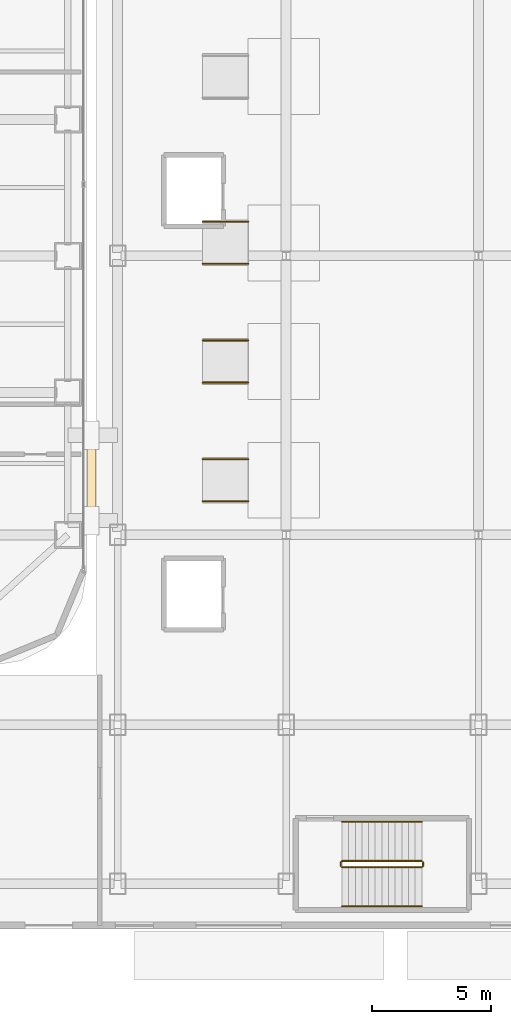
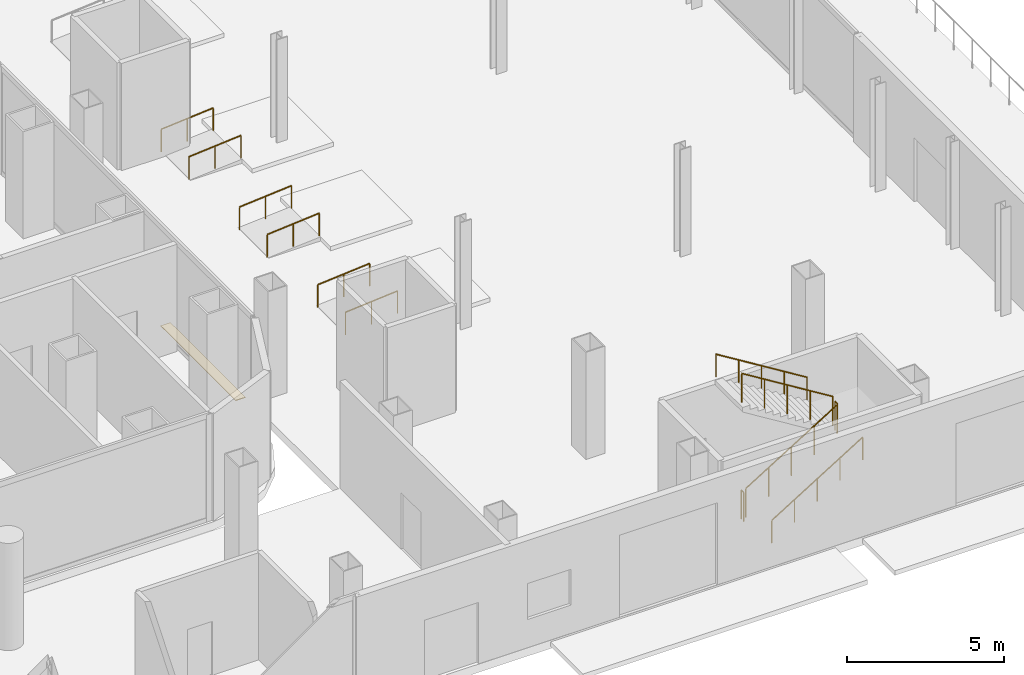
# One storey, part 26 of 31: 12 railings, 1 covering.
"""IFC4 building model written with IfcOpenShell, lengths in metres."""

from ifc_helpers import new_model, si_unit, direction, frame, origin, origin_2d, place, context, subcontext, project, spatial, polyline, circle, outline, extrude, material, layer, layer_set, type_object, element, save


model = new_model("IFC4")

# Units and contexts
model_context = context("Model", 3, precision=1e-05, world=origin(), true_north=direction((0.0, 1.0)))
body_context = subcontext(model_context, "Body", "Model", "MODEL_VIEW")
ifc_project = project(units=[si_unit("LENGTHUNIT", "METRE"), si_unit("AREAUNIT", "SQUARE_METRE"), si_unit("VOLUMEUNIT", "CUBIC_METRE"), si_unit("PLANEANGLEUNIT", "RADIAN"), si_unit("MASSUNIT", "GRAM", prefix="KILO")], contexts=[model_context])

# Site, building, storey
site_placement = place(None, origin())
site = spatial("IfcSite", under=ifc_project, at=site_placement, CompositionType="ELEMENT")
building_placement = place(site_placement, origin())
building = spatial("IfcBuilding", under=site, at=building_placement, Name="Kolveth Station Tower", CompositionType="ELEMENT")
storey_placement = place(building_placement, origin())
storey = spatial("IfcBuildingStorey", under=building, at=storey_placement, Name="L00", CompositionType="ELEMENT", Elevation=0.0)

# Covering
ifc_material_1 = material(Name="Honed terrazzo flooring")
ifc_layer = layer(ifc_material_1, 0.02001953125)
ifc_layer_set = layer_set([ifc_layer], Name="Honed terrazzo flooring")
covering_type = type_object("IfcCoveringType", Name="Floor_FL1", PredefinedType="FLOORING", material=ifc_layer_set)
covering_placement = place(storey_placement, frame((0.0, 0.0, -0.02001953125)))
element("IfcCovering", 1, at=covering_placement, inside=storey, type_object=covering_type, Name="L00 Seismic Joint Concourse Threshold Flooring 2", PredefinedType="FLOORING", context=body_context, shape_type="SweptSolid", body=[
    extrude(outline(polyline([(47.02001953125, 5.5), (47.3798828125, 5.5), (47.3798828125, 10.300048828125), (47.02001953125, 10.300048828125), (47.02001953125, 5.5)])), origin(), (0.0, 0.0, 1.0), 0.02001953125),
])

# Railings
ifc_material_2 = material(Name="Painted Steel S355 balustrade", Category="steel")
railing_type_1 = type_object("IfcRailingType", Name="Guard_GR2", PredefinedType="BALUSTRADE", material=ifc_material_2)
railing_1_placement = place(storey_placement, frame((57.75, -8.5, 0.173095703125)))
element("IfcRailing", 2, at=railing_1_placement, inside=storey, type_object=railing_type_1, Name="L00 ST4 stair guard 1", PredefinedType="BALUSTRADE", context=body_context, shape_type="SweptSolid", body=[
    extrude(circle(Radius=0.02392578125, at=origin_2d()), frame((0.0, 0.0, 1.1259765625), z_axis=(0.850623216509, 0.0, 0.525775754039), x_axis=(0.0, 1.0, 0.0)), (0.0, 0.0, 1.0), 3.9501953125),
    extrude(circle(Radius=0.02099609375, at=origin_2d()), origin(), (0.0, 0.0, 1.0), 1.101806640625),
    extrude(circle(Radius=0.02099609375, at=origin_2d()), frame((0.840087890625, 0.0, 0.519287109375)), (0.0, 0.0, 1.0), 1.101806640625),
    extrude(circle(Radius=0.02099609375, at=origin_2d()), frame((1.68017578125, 0.0, 1.03857421875)), (0.0, 0.0, 1.0), 1.101806640625),
    extrude(circle(Radius=0.02099609375, at=origin_2d()), frame((2.52001953125, 0.0, 1.5576171875)), (0.0, 0.0, 1.0), 1.101806640625),
    extrude(circle(Radius=0.02099609375, at=origin_2d()), frame((3.360107421875, 0.0, 2.076904296875)), (0.0, 0.0, 1.0), 1.101806640625),
])
railing_2_placement = place(storey_placement, frame((61.159912109375, -8.449951171875, 2.25)))
element("IfcRailing", 3, at=railing_2_placement, inside=storey, type_object=railing_type_1, Name="L00 ST4 stair guard 2", PredefinedType="BALUSTRADE", context=body_context, shape_type="SweptSolid", body=[
    extrude(circle(Radius=0.02392578125, at=origin_2d()), frame((0.0, 0.0, 1.1259765625), z_axis=(0.0, 1.0, 0.0), x_axis=(-1.0, 0.0, 0.0)), (0.0, 0.0, 1.0), 0.159912109375),
    extrude(circle(Radius=0.02099609375, at=origin_2d()), origin(), (0.0, 0.0, 1.0), 1.101806640625),
    extrude(circle(Radius=0.02099609375, at=origin_2d()), frame((0.0, 0.159912109375, 0.0)), (0.0, 0.0, 1.0), 1.101806640625),
])
railing_3_placement = place(storey_placement, frame((61.110107421875, -8.239990234375, 2.423095703125)))
element("IfcRailing", 4, at=railing_3_placement, inside=storey, type_object=railing_type_1, Name="L00 ST4 stair guard 3", PredefinedType="BALUSTRADE", context=body_context, shape_type="SweptSolid", body=[
    extrude(circle(Radius=0.02392578125, at=origin_2d()), frame((0.0, 0.0, 1.1259765625), z_axis=(-0.850623216509, 0.0, 0.525775754039), x_axis=(0.0, -1.0, 0.0)), (0.0, 0.0, 1.0), 3.9501953125),
    extrude(circle(Radius=0.02099609375, at=origin_2d()), origin(), (0.0, 0.0, 1.0), 1.101806640625),
    extrude(circle(Radius=0.02099609375, at=origin_2d()), frame((-0.840087890625, 0.0, 0.519287109375)), (0.0, 0.0, 1.0), 1.101806640625),
    extrude(circle(Radius=0.02099609375, at=origin_2d()), frame((-1.68017578125, 0.0, 1.03857421875)), (0.0, 0.0, 1.0), 1.101806640625),
    extrude(circle(Radius=0.02099609375, at=origin_2d()), frame((-2.52001953125, 0.0, 1.5576171875)), (0.0, 0.0, 1.0), 1.101806640625),
    extrude(circle(Radius=0.02099609375, at=origin_2d()), frame((-3.360107421875, 0.0, 2.076904296875)), (0.0, 0.0, 1.0), 1.101806640625),
])
railing_4_placement = place(storey_placement, frame((57.699951171875, -8.449951171875, 0.0)))
element("IfcRailing", 5, at=railing_4_placement, inside=storey, type_object=railing_type_1, Name="L00 ST4 stair guard 4", PredefinedType="BALUSTRADE", context=body_context, shape_type="SweptSolid", body=[
    extrude(circle(Radius=0.02392578125, at=origin_2d()), frame((0.0, 0.0, 1.1259765625), z_axis=(0.0, 1.0, 0.0), x_axis=(-1.0, 0.0, 0.0)), (0.0, 0.0, 1.0), 0.159912109375),
    extrude(circle(Radius=0.02099609375, at=origin_2d()), origin(), (0.0, 0.0, 1.0), 1.101806640625),
    extrude(circle(Radius=0.02099609375, at=origin_2d()), frame((0.0, 0.159912109375, 0.0)), (0.0, 0.0, 1.0), 1.101806640625),
])
ifc_material_3 = material(Name="Brushed stainless steel", Category="steel")
railing_type_2 = type_object("IfcRailingType", Name="Handrail_HR1", PredefinedType="HANDRAIL", material=ifc_material_3)
railing_5_placement = place(storey_placement, frame((57.75, -10.14990234375, 0.173095703125)))
element("IfcRailing", 6, at=railing_5_placement, inside=storey, type_object=railing_type_2, Name="L00 ST4 stair handrail 1", PredefinedType="HANDRAIL", context=body_context, shape_type="SweptSolid", body=[
    extrude(circle(Radius=0.02392578125, at=origin_2d()), frame((0.0, 0.0, 0.8759765625), z_axis=(0.850623216509, 0.0, 0.525775754039), x_axis=(0.0, 1.0, 0.0)), (0.0, 0.0, 1.0), 3.9501953125),
    extrude(circle(Radius=0.02099609375, at=origin_2d()), origin(), (0.0, 0.0, 1.0), 0.851806640625),
    extrude(circle(Radius=0.02099609375, at=origin_2d()), frame((0.840087890625, 0.0, 0.519287109375)), (0.0, 0.0, 1.0), 0.851806640625),
    extrude(circle(Radius=0.02099609375, at=origin_2d()), frame((1.68017578125, 0.0, 1.03857421875)), (0.0, 0.0, 1.0), 0.851806640625),
    extrude(circle(Radius=0.02099609375, at=origin_2d()), frame((2.52001953125, 0.0, 1.5576171875)), (0.0, 0.0, 1.0), 0.851806640625),
    extrude(circle(Radius=0.02099609375, at=origin_2d()), frame((3.360107421875, 0.0, 2.076904296875)), (0.0, 0.0, 1.0), 0.851806640625),
])
railing_6_placement = place(storey_placement, frame((61.110107421875, -6.590087890625, 2.423095703125)))
element("IfcRailing", 7, at=railing_6_placement, inside=storey, type_object=railing_type_2, Name="L00 ST4 stair handrail 2", PredefinedType="HANDRAIL", context=body_context, shape_type="SweptSolid", body=[
    extrude(circle(Radius=0.02392578125, at=origin_2d()), frame((0.0, 0.0, 0.8759765625), z_axis=(-0.850623216509, 0.0, 0.525775754039), x_axis=(0.0, -1.0, 0.0)), (0.0, 0.0, 1.0), 3.9501953125),
    extrude(circle(Radius=0.02099609375, at=origin_2d()), origin(), (0.0, 0.0, 1.0), 0.851806640625),
    extrude(circle(Radius=0.02099609375, at=origin_2d()), frame((-0.840087890625, 0.0, 0.519287109375)), (0.0, 0.0, 1.0), 0.851806640625),
    extrude(circle(Radius=0.02099609375, at=origin_2d()), frame((-1.68017578125, 0.0, 1.03857421875)), (0.0, 0.0, 1.0), 0.851806640625),
    extrude(circle(Radius=0.02099609375, at=origin_2d()), frame((-2.52001953125, 0.0, 1.5576171875)), (0.0, 0.0, 1.0), 0.851806640625),
    extrude(circle(Radius=0.02099609375, at=origin_2d()), frame((-3.360107421875, 0.0, 2.076904296875)), (0.0, 0.0, 1.0), 0.851806640625),
])
for number, where, name in (
    (8, (51.8798828125, 6.9150390625, 0.0), "L00 Accessible Ramp 1 Handrail L"),
    (9, (51.8798828125, 8.68505859375, 0.0), "L00 Accessible Ramp 1 Handrail R"),
    (10, (51.8798828125, 11.9150390625, 0.0), "L00 Accessible Ramp 2 Handrail L"),
    (11, (51.8798828125, 13.68505859375, 0.0), "L00 Accessible Ramp 2 Handrail R"),
    (12, (51.8798828125, 16.9150390625, 0.0), "L00 Accessible Ramp 3 Handrail L"),
    (13, (51.8798828125, 18.68505859375, 0.0), "L00 Accessible Ramp 3 Handrail R"),
):
    element("IfcRailing", number, at=place(storey_placement, frame(where)), inside=storey, type_object=railing_type_2, Name=name, PredefinedType="HANDRAIL", context=body_context, shape_type="SweptSolid", body=[
        extrude(circle(Radius=0.02392578125, at=origin_2d()), frame((0.0, 0.0, 0.8759765625), z_axis=(0.996550126071, 0.0, 0.082993049279), x_axis=(0.0, 1.0, 0.0)), (0.0, 0.0, 1.0), 1.9267578125),
        extrude(circle(Radius=0.02099609375, at=origin_2d()), origin(), (0.0, 0.0, 1.0), 0.851806640625),
        extrude(circle(Radius=0.02099609375, at=origin_2d()), frame((0.9599609375, 0.0, 0.080078125)), (0.0, 0.0, 1.0), 0.851806640625),
        extrude(circle(Radius=0.02099609375, at=origin_2d()), frame((1.920166015625, 0.0, 0.159912109375)), (0.0, 0.0, 1.0), 0.851806640625),
    ])

save(model, "model.ifc")
